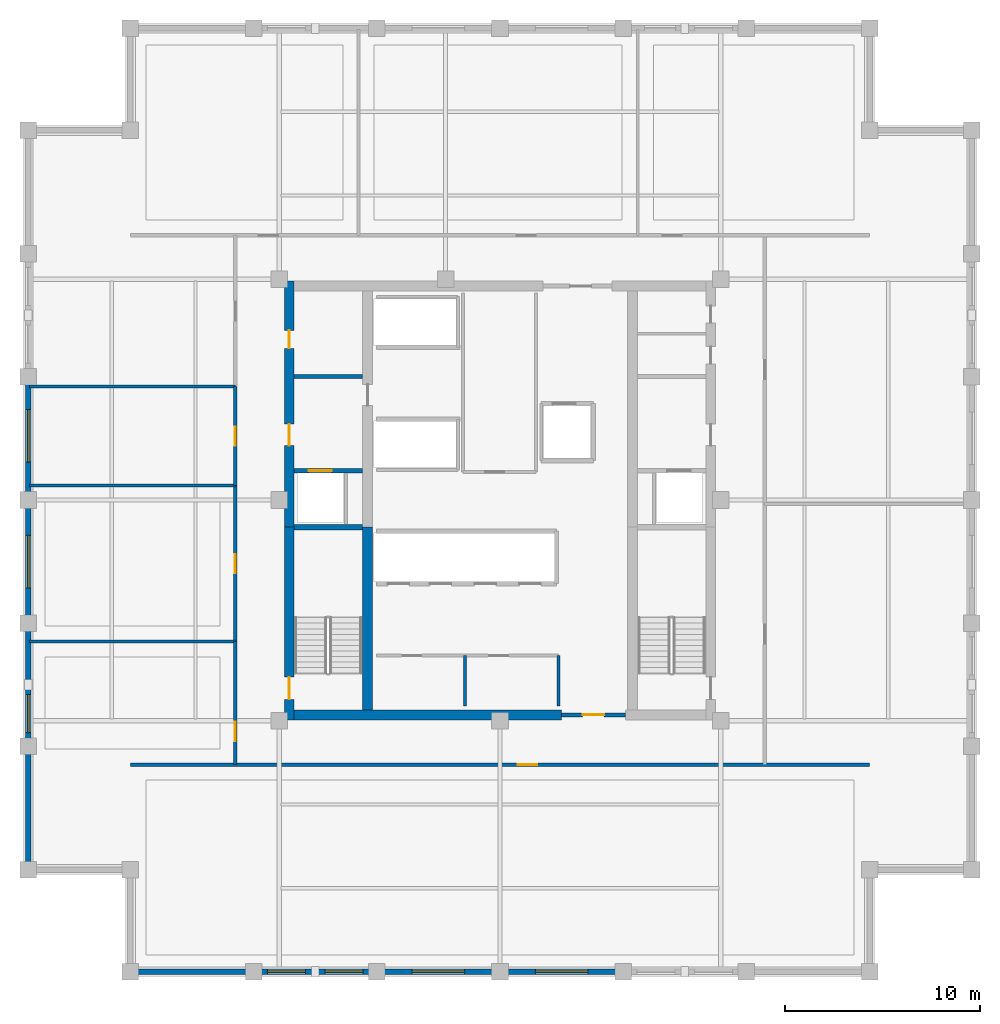
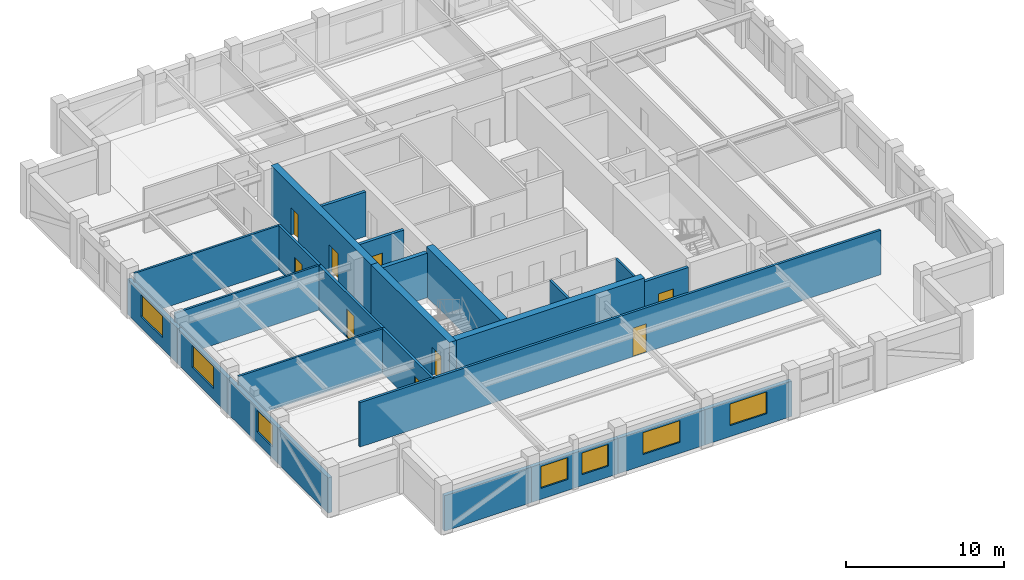
# One storey, part 2 of 9: 25 walls, 9 doors, 7 windows, 16 openings.
"""IFC4 building model written with IfcOpenShell, lengths in metres."""

from ifc_helpers import new_model, si_unit, direction, frame, frame_2d, origin, place, context, subcontext, project, spatial, rectangle, extrude, material, layer, layer_set, type_object, element, fill, save


model = new_model("IFC4")

# Units and contexts
model_context = context("Model", 3, precision=1e-05, world=origin(), true_north=direction((0.0, 1.0)))
body_context = subcontext(model_context, "Body", "Model", "MODEL_VIEW")
ifc_project = project(units=[si_unit("LENGTHUNIT", "METRE"), si_unit("AREAUNIT", "SQUARE_METRE"), si_unit("VOLUMEUNIT", "CUBIC_METRE"), si_unit("PLANEANGLEUNIT", "RADIAN"), si_unit("MASSUNIT", "GRAM", prefix="KILO")], contexts=[model_context])

# Site, building, storey
site_placement = place(None, origin())
site = spatial("IfcSite", under=ifc_project, at=site_placement, CompositionType="ELEMENT")
building_placement = place(site_placement, origin())
building = spatial("IfcBuilding", under=site, at=building_placement, Name="Nhamokura Convention Tower", CompositionType="ELEMENT")
storey_placement = place(building_placement, frame((0.0, 0.0, 186.89990234375)))
storey = spatial("IfcBuildingStorey", under=building, at=storey_placement, Name="L45", CompositionType="ELEMENT", Elevation=186.89990234375)

# Wall
ifc_material_1 = material(Name="Bronze-pigmented precast concrete C45/55", Category="concrete")
ifc_layer_1 = layer(ifc_material_1, 0.280029296875)
ifc_layer_set_1 = layer_set([ifc_layer_1], Name="BronzePrecastSpandrel_280")
wall_type_1 = type_object("IfcWallType", Name="BronzePrecastSpandrel_280", PredefinedType="USERDEFINED", material=ifc_layer_set_1)
wall_1_placement = place(storey_placement, frame((19.333251953125, 7.75, 0.0), z_axis=(0.0, 0.0, 1.0), x_axis=(-1.0, 0.0, 0.0)))
element("IfcWall", 1, at=wall_1_placement, inside=storey, type_object=wall_type_1, Name="L45 Braced-Bay Precast Wall SOUTH 0", ObjectType="SPANDREL_WALL", PredefinedType="USERDEFINED", context=body_context, shape_type="SweptSolid", body=[
    extrude(rectangle(XDim=6.333251953125, YDim=0.280029296875, at=frame_2d((3.16650390625, 0.0))), origin(), (0.0, 0.0, 1.0), 2.72998046875),
])

# Wall, openings, windows
wall_2_placement = place(storey_placement, frame((25.666748046875, 7.75, 0.0), z_axis=(0.0, 0.0, 1.0), x_axis=(-1.0, 0.0, 0.0)))
wall_2 = element("IfcWall", 2, at=wall_2_placement, inside=storey, type_object=wall_type_1, Name="L45 Masonry-Frame Wall SOUTH 1", ObjectType="SPANDREL_WALL", PredefinedType="USERDEFINED", context=body_context, shape_type="SweptSolid", body=[
    extrude(rectangle(XDim=6.33349609375, YDim=0.280029296875, at=frame_2d((3.166748046875, 0.0))), origin(), (0.0, 0.0, 1.0), 2.72998046875),
])
opening_1_placement = place(wall_2_placement, frame((0.708251953125, 0.0, 0.85009765625)))
opening_1 = element("IfcOpeningElement", 3, at=opening_1_placement, cuts=wall_2, Name="Opening W-08", PredefinedType="OPENING", context=body_context, shape_type="SweptSolid", body=[
    extrude(rectangle(XDim=1.949951171875, YDim=1.679931640625, at=frame_2d((0.97509765625, 0.83984375))), frame((0.0, 0.14990234375, 0.0), z_axis=(0.0, -1.0, 0.0), x_axis=(1.0, 0.0, 0.0)), (0.0, 0.0, 1.0), 0.300048828125),
])
opening_2_placement = place(wall_2_placement, frame((3.675048828125, 0.0, 0.85009765625)))
opening_2 = element("IfcOpeningElement", 4, at=opening_2_placement, cuts=wall_2, Name="Opening W-08", PredefinedType="OPENING", context=body_context, shape_type="SweptSolid", body=[
    extrude(rectangle(XDim=1.949951171875, YDim=1.679931640625, at=frame_2d((0.97509765625, 0.83984375))), frame((0.0, 0.14990234375, 0.0), z_axis=(0.0, -1.0, 0.0), x_axis=(1.0, 0.0, 0.0)), (0.0, 0.0, 1.0), 0.300048828125),
])
ifc_material_2 = material(Name="Solar-control bronze low-E double glass", Category="glass")
window_type_1 = type_object("IfcWindowType", Name="OfficeModuleWindow_Z3_1950", PartitioningType="SINGLE_PANEL", PredefinedType="WINDOW", material=ifc_material_2)
window_1_placement = place(opening_1_placement, origin())
window_1 = element("IfcWindow", 5, at=window_1_placement, inside=storey, type_object=window_type_1, Name="L45 Facade Window SOUTH 1-1", OverallHeight=1.679931640625, OverallWidth=1.949951171875, PartitioningType="SINGLE_PANEL", PredefinedType="WINDOW", context=body_context, shape_type="SweptSolid", body=[
    extrude(rectangle(XDim=1.949951171875, YDim=1.679931640625, at=frame_2d((0.97509765625, 0.83984375))), frame((0.0, 0.030029296875, 0.0), z_axis=(0.0, -1.0, 0.0), x_axis=(1.0, 0.0, 0.0)), (0.0, 0.0, 1.0), 0.06005859375),
])
fill(opening_1, window_1)
window_2_placement = place(opening_2_placement, origin())
window_2 = element("IfcWindow", 6, at=window_2_placement, inside=storey, type_object=window_type_1, Name="L45 Facade Window SOUTH 1-2", OverallHeight=1.679931640625, OverallWidth=1.949951171875, PartitioningType="SINGLE_PANEL", PredefinedType="WINDOW", context=body_context, shape_type="SweptSolid", body=[
    extrude(rectangle(XDim=1.949951171875, YDim=1.679931640625, at=frame_2d((0.97509765625, 0.83984375))), frame((0.0, 0.030029296875, 0.0), z_axis=(0.0, -1.0, 0.0), x_axis=(1.0, 0.0, 0.0)), (0.0, 0.0, 1.0), 0.06005859375),
])
fill(opening_2, window_2)

# Wall, opening, window
wall_3_placement = place(storey_placement, frame((32.0, 7.75, 0.0), z_axis=(0.0, 0.0, 1.0), x_axis=(-1.0, 0.0, 0.0)))
wall_3 = element("IfcWall", 7, at=wall_3_placement, inside=storey, type_object=wall_type_1, Name="L45 Masonry-Frame Wall SOUTH 2", ObjectType="SPANDREL_WALL", PredefinedType="USERDEFINED", context=body_context, shape_type="SweptSolid", body=[
    extrude(rectangle(XDim=6.333251953125, YDim=0.280029296875, at=frame_2d((3.16650390625, 0.0))), origin(), (0.0, 0.0, 1.0), 2.72998046875),
])
opening_3_placement = place(wall_3_placement, frame((1.816650390625, 0.0, 0.85009765625)))
opening_3 = element("IfcOpeningElement", 8, at=opening_3_placement, cuts=wall_3, Name="Opening W-07", PredefinedType="OPENING", context=body_context, shape_type="SweptSolid", body=[
    extrude(rectangle(XDim=2.699951171875, YDim=1.679931640625, at=frame_2d((1.35009765625, 0.83984375))), frame((0.0, 0.14990234375, 0.0), z_axis=(0.0, -1.0, 0.0), x_axis=(1.0, 0.0, 0.0)), (0.0, 0.0, 1.0), 0.300048828125),
])
ifc_material_3 = material(Name="Solar-control bronze low-E double glass", Category="glass")
window_type_2 = type_object("IfcWindowType", Name="OfficeModuleWindow_Z3_2700", PartitioningType="DOUBLE_PANEL_VERTICAL", PredefinedType="WINDOW", material=ifc_material_3)
window_3_placement = place(opening_3_placement, origin())
window_3 = element("IfcWindow", 9, at=window_3_placement, inside=storey, type_object=window_type_2, Name="L45 Facade Window SOUTH 2", OverallHeight=1.679931640625, OverallWidth=2.699951171875, PartitioningType="SINGLE_PANEL", PredefinedType="WINDOW", context=body_context, shape_type="SweptSolid", body=[
    extrude(rectangle(XDim=2.699951171875, YDim=1.679931640625, at=frame_2d((1.35009765625, 0.83984375))), frame((0.0, 0.030029296875, 0.0), z_axis=(0.0, -1.0, 0.0), x_axis=(1.0, 0.0, 0.0)), (0.0, 0.0, 1.0), 0.06005859375),
])
fill(opening_3, window_3)

wall_4_placement = place(storey_placement, frame((38.333251953125, 7.75, 0.0), z_axis=(0.0, 0.0, 1.0), x_axis=(-1.0, 0.0, 0.0)))
wall_4 = element("IfcWall", 10, at=wall_4_placement, inside=storey, type_object=wall_type_1, Name="L45 Masonry-Frame Wall SOUTH 3", ObjectType="SPANDREL_WALL", PredefinedType="USERDEFINED", context=body_context, shape_type="SweptSolid", body=[
    extrude(rectangle(XDim=6.333251953125, YDim=0.280029296875, at=frame_2d((3.16650390625, 0.0))), origin(), (0.0, 0.0, 1.0), 2.72998046875),
])
opening_4_placement = place(wall_4_placement, frame((1.816650390625, 0.0, 0.85009765625)))
opening_4 = element("IfcOpeningElement", 11, at=opening_4_placement, cuts=wall_4, Name="Opening W-07", PredefinedType="OPENING", context=body_context, shape_type="SweptSolid", body=[
    extrude(rectangle(XDim=2.699951171875, YDim=1.679931640625, at=frame_2d((1.35009765625, 0.83984375))), frame((0.0, 0.14990234375, 0.0), z_axis=(0.0, -1.0, 0.0), x_axis=(1.0, 0.0, 0.0)), (0.0, 0.0, 1.0), 0.300048828125),
])
window_4_placement = place(opening_4_placement, origin())
window_4 = element("IfcWindow", 12, at=window_4_placement, inside=storey, type_object=window_type_2, Name="L45 Facade Window SOUTH 3", OverallHeight=1.679931640625, OverallWidth=2.699951171875, PartitioningType="SINGLE_PANEL", PredefinedType="WINDOW", context=body_context, shape_type="SweptSolid", body=[
    extrude(rectangle(XDim=2.699951171875, YDim=1.679931640625, at=frame_2d((1.35009765625, 0.83984375))), frame((0.0, 0.030029296875, 0.0), z_axis=(0.0, -1.0, 0.0), x_axis=(1.0, 0.0, 0.0)), (0.0, 0.0, 1.0), 0.06005859375),
])
fill(opening_4, window_4)

# Wall
wall_5_placement = place(storey_placement, frame((7.75, 13.0, 0.0), z_axis=(0.0, 0.0, 1.0), x_axis=(0.0, 1.0, 0.0)))
element("IfcWall", 13, at=wall_5_placement, inside=storey, type_object=wall_type_1, Name="L45 Braced-Bay Precast Wall WEST 0", ObjectType="SPANDREL_WALL", PredefinedType="USERDEFINED", context=body_context, shape_type="SweptSolid", body=[
    extrude(rectangle(XDim=6.333251953125, YDim=0.280029296875, at=frame_2d((3.16650390625, 0.0))), origin(), (0.0, 0.0, 1.0), 2.72998046875),
])

# Wall, opening, window
wall_6_placement = place(storey_placement, frame((7.75, 19.333251953125, 0.0), z_axis=(0.0, 0.0, 1.0), x_axis=(0.0, 1.0, 0.0)))
wall_6 = element("IfcWall", 14, at=wall_6_placement, inside=storey, type_object=wall_type_1, Name="L45 Masonry-Frame Wall WEST 1", ObjectType="SPANDREL_WALL", PredefinedType="USERDEFINED", context=body_context, shape_type="SweptSolid", body=[
    extrude(rectangle(XDim=6.33349609375, YDim=0.280029296875, at=frame_2d((3.166748046875, 0.0))), origin(), (0.0, 0.0, 1.0), 2.72998046875),
])
opening_5_placement = place(wall_6_placement, frame((0.708251953125, 0.0, 0.85009765625)))
opening_5 = element("IfcOpeningElement", 15, at=opening_5_placement, cuts=wall_6, Name="Opening W-08", PredefinedType="OPENING", context=body_context, shape_type="SweptSolid", body=[
    extrude(rectangle(XDim=1.949951171875, YDim=1.679931640625, at=frame_2d((0.97509765625, 0.83984375))), frame((0.0, 0.14990234375, 0.0), z_axis=(0.0, -1.0, 0.0), x_axis=(1.0, 0.0, 0.0)), (0.0, 0.0, 1.0), 0.300048828125),
])
window_5_placement = place(opening_5_placement, origin())
window_5 = element("IfcWindow", 16, at=window_5_placement, inside=storey, type_object=window_type_1, Name="L45 Facade Window WEST 1-1", OverallHeight=1.679931640625, OverallWidth=1.949951171875, PartitioningType="SINGLE_PANEL", PredefinedType="WINDOW", context=body_context, shape_type="SweptSolid", body=[
    extrude(rectangle(XDim=1.949951171875, YDim=1.679931640625, at=frame_2d((0.97509765625, 0.83984375))), frame((0.0, 0.030029296875, 0.0), z_axis=(0.0, -1.0, 0.0), x_axis=(1.0, 0.0, 0.0)), (0.0, 0.0, 1.0), 0.06005859375),
])
fill(opening_5, window_5)

wall_7_placement = place(storey_placement, frame((7.75, 25.666748046875, 0.0), z_axis=(0.0, 0.0, 1.0), x_axis=(0.0, 1.0, 0.0)))
wall_7 = element("IfcWall", 17, at=wall_7_placement, inside=storey, type_object=wall_type_1, Name="L45 Masonry-Frame Wall WEST 2", ObjectType="SPANDREL_WALL", PredefinedType="USERDEFINED", context=body_context, shape_type="SweptSolid", body=[
    extrude(rectangle(XDim=6.333251953125, YDim=0.280029296875, at=frame_2d((3.16650390625, 0.0))), origin(), (0.0, 0.0, 1.0), 2.72998046875),
])
opening_6_placement = place(wall_7_placement, frame((1.816650390625, 0.0, 0.85009765625)))
opening_6 = element("IfcOpeningElement", 18, at=opening_6_placement, cuts=wall_7, Name="Opening W-07", PredefinedType="OPENING", context=body_context, shape_type="SweptSolid", body=[
    extrude(rectangle(XDim=2.699951171875, YDim=1.679931640625, at=frame_2d((1.35009765625, 0.83984375))), frame((0.0, 0.14990234375, 0.0), z_axis=(0.0, -1.0, 0.0), x_axis=(1.0, 0.0, 0.0)), (0.0, 0.0, 1.0), 0.300048828125),
])
window_6_placement = place(opening_6_placement, origin())
window_6 = element("IfcWindow", 19, at=window_6_placement, inside=storey, type_object=window_type_2, Name="L45 Facade Window WEST 2", OverallHeight=1.679931640625, OverallWidth=2.699951171875, PartitioningType="SINGLE_PANEL", PredefinedType="WINDOW", context=body_context, shape_type="SweptSolid", body=[
    extrude(rectangle(XDim=2.699951171875, YDim=1.679931640625, at=frame_2d((1.35009765625, 0.83984375))), frame((0.0, 0.030029296875, 0.0), z_axis=(0.0, -1.0, 0.0), x_axis=(1.0, 0.0, 0.0)), (0.0, 0.0, 1.0), 0.06005859375),
])
fill(opening_6, window_6)

wall_8_placement = place(storey_placement, frame((7.75, 32.0, 0.0), z_axis=(0.0, 0.0, 1.0), x_axis=(0.0, 1.0, 0.0)))
wall_8 = element("IfcWall", 20, at=wall_8_placement, inside=storey, type_object=wall_type_1, Name="L45 Masonry-Frame Wall WEST 3", ObjectType="SPANDREL_WALL", PredefinedType="USERDEFINED", context=body_context, shape_type="SweptSolid", body=[
    extrude(rectangle(XDim=6.333251953125, YDim=0.280029296875, at=frame_2d((3.16650390625, 0.0))), origin(), (0.0, 0.0, 1.0), 2.72998046875),
])
opening_7_placement = place(wall_8_placement, frame((1.941650390625, 0.0, 0.85009765625)))
opening_7 = element("IfcOpeningElement", 21, at=opening_7_placement, cuts=wall_8, Name="Opening W-07", PredefinedType="OPENING", context=body_context, shape_type="SweptSolid", body=[
    extrude(rectangle(XDim=2.699951171875, YDim=1.679931640625, at=frame_2d((1.35009765625, 0.83984375))), frame((0.0, 0.14990234375, 0.0), z_axis=(0.0, -1.0, 0.0), x_axis=(1.0, 0.0, 0.0)), (0.0, 0.0, 1.0), 0.300048828125),
])
window_7_placement = place(opening_7_placement, origin())
window_7 = element("IfcWindow", 22, at=window_7_placement, inside=storey, type_object=window_type_2, Name="L45 Facade Window WEST 3", OverallHeight=1.679931640625, OverallWidth=2.699951171875, PartitioningType="SINGLE_PANEL", PredefinedType="WINDOW", context=body_context, shape_type="SweptSolid", body=[
    extrude(rectangle(XDim=2.699951171875, YDim=1.679931640625, at=frame_2d((1.35009765625, 0.83984375))), frame((0.0, 0.030029296875, 0.0), z_axis=(0.0, -1.0, 0.0), x_axis=(1.0, 0.0, 0.0)), (0.0, 0.0, 1.0), 0.06005859375),
])
fill(opening_7, window_7)

# Wall, opening, door
ifc_material_4 = material(Name="Concrete C60/75", Category="concrete")
ifc_layer_2 = layer(ifc_material_4, 0.5)
ifc_layer_set_2 = layer_set([ifc_layer_2], Name="CoreShearWall_500")
wall_type_2 = type_object("IfcWallType", Name="CoreShearWall_500", PredefinedType="SHEAR", material=ifc_layer_set_2)
wall_9_placement = place(storey_placement, frame((21.159912109375, 20.699951171875, 0.0), z_axis=(0.0, 0.0, 1.0), x_axis=(0.0, 1.0, 0.0)))
wall_9 = element("IfcWall", 23, at=wall_9_placement, inside=storey, type_object=wall_type_2, Name="L45 Core Shear Wall CW-WS", PredefinedType="SHEAR", context=body_context, shape_type="SweptSolid", body=[
    extrude(rectangle(XDim=9.900146484375, YDim=0.5, at=frame_2d((4.9501953125, 0.0))), origin(), (0.0, 0.0, 1.0), 3.85009765625),
])
opening_8_placement = place(wall_9_placement, frame((1.050048828125, 0.0, 0.0)))
opening_8 = element("IfcOpeningElement", 24, at=opening_8_placement, cuts=wall_9, Name="Opening D-04", PredefinedType="OPENING", context=body_context, shape_type="SweptSolid", body=[
    extrude(rectangle(XDim=1.14990234375, YDim=2.14990234375, at=frame_2d((0.574951171875, 1.074951171875))), frame((0.0, 0.260009765625, 0.0), z_axis=(0.0, -1.0, 0.0), x_axis=(1.0, 0.0, 0.0)), (0.0, 0.0, 1.0), 0.52001953125),
])
ifc_material_5 = material(Name="Fire-rated steel door", Category="steel")
door_type_1 = type_object("IfcDoorType", Name="StairSmokeDoor_1150", OperationType="NOTDEFINED", PredefinedType="DOOR", material=ifc_material_5)
door_1_placement = place(opening_8_placement, origin())
door_1 = element("IfcDoor", 25, at=door_1_placement, inside=storey, type_object=door_type_1, Name="L45 Core Door INT-L45-D-ST01", OperationType="SINGLE_SWING_LEFT", OverallHeight=2.14990234375, OverallWidth=1.14990234375, PredefinedType="DOOR", context=body_context, shape_type="SweptSolid", body=[
    extrude(rectangle(XDim=1.14990234375, YDim=2.14990234375, at=frame_2d((0.574951171875, 1.074951171875))), frame((0.0, 0.02490234375, 0.0), z_axis=(0.0, -1.0, 0.0), x_axis=(1.0, 0.0, 0.0)), (0.0, 0.0, 1.0), 0.050048828125),
])
fill(opening_8, door_1)

# Wall, openings, doors
wall_10_placement = place(storey_placement, frame((21.159912109375, 30.60009765625, 0.0), z_axis=(0.0, 0.0, 1.0), x_axis=(0.0, 1.0, 0.0)))
wall_10 = element("IfcWall", 26, at=wall_10_placement, inside=storey, type_object=wall_type_2, Name="L45 Core Shear Wall CW-WN", PredefinedType="SHEAR", context=body_context, shape_type="SweptSolid", body=[
    extrude(rectangle(XDim=12.64990234375, YDim=0.5, at=frame_2d((6.324951171875, 0.0))), origin(), (0.0, 0.0, 1.0), 3.85009765625),
])
opening_9_placement = place(wall_10_placement, frame((4.199951171875, 0.0, 0.0)))
opening_9 = element("IfcOpeningElement", 27, at=opening_9_placement, cuts=wall_10, Name="Opening D-05", PredefinedType="OPENING", context=body_context, shape_type="SweptSolid", body=[
    extrude(rectangle(XDim=1.10009765625, YDim=2.14990234375, at=frame_2d((0.550048828125, 1.074951171875))), frame((0.0, 0.260009765625, 0.0), z_axis=(0.0, -1.0, 0.0), x_axis=(1.0, 0.0, 0.0)), (0.0, 0.0, 1.0), 0.52001953125),
])
opening_10_placement = place(wall_10_placement, frame((9.199951171875, 0.0, 0.0)))
opening_10 = element("IfcOpeningElement", 28, at=opening_10_placement, cuts=wall_10, Name="Opening D-10", PredefinedType="OPENING", context=body_context, shape_type="SweptSolid", body=[
    extrude(rectangle(XDim=0.919921875, YDim=2.10009765625, at=frame_2d((0.4599609375, 1.050048828125))), frame((0.0, 0.260009765625, 0.0), z_axis=(0.0, -1.0, 0.0), x_axis=(1.0, 0.0, 0.0)), (0.0, 0.0, 1.0), 0.52001953125),
])
ifc_material_6 = material(Name="Solid oak hardwood", Category="wood")
door_type_2 = type_object("IfcDoorType", Name="AccessibleWCDoor_920", OperationType="NOTDEFINED", PredefinedType="DOOR", material=ifc_material_6)
door_2_placement = place(opening_10_placement, origin())
door_2 = element("IfcDoor", 29, at=door_2_placement, inside=storey, type_object=door_type_2, Name="L45 Core Door INT-L45-D-AWC", OperationType="SINGLE_SWING_LEFT", OverallHeight=2.10009765625, OverallWidth=0.919921875, PredefinedType="DOOR", context=body_context, shape_type="SweptSolid", body=[
    extrude(rectangle(XDim=0.919921875, YDim=2.10009765625, at=frame_2d((0.4599609375, 1.050048828125))), frame((0.0, 0.02490234375, 0.0), z_axis=(0.0, -1.0, 0.0), x_axis=(1.0, 0.0, 0.0)), (0.0, 0.0, 1.0), 0.050048828125),
])
fill(opening_10, door_2)
ifc_material_7 = material(Name="Fire-rated steel door", Category="steel")
door_type_3 = type_object("IfcDoorType", Name="FireLobbyDoor_1100", OperationType="NOTDEFINED", PredefinedType="DOOR", material=ifc_material_7)
door_3_placement = place(opening_9_placement, origin())
door_3 = element("IfcDoor", 30, at=door_3_placement, inside=storey, type_object=door_type_3, Name="L45 Core Door INT-L45-D-FFLW", OperationType="SINGLE_SWING_RIGHT", OverallHeight=2.14990234375, OverallWidth=1.10009765625, PredefinedType="DOOR", context=body_context, shape_type="SweptSolid", body=[
    extrude(rectangle(XDim=1.10009765625, YDim=2.14990234375, at=frame_2d((0.550048828125, 1.074951171875))), frame((0.0, 0.02490234375, 0.0), z_axis=(0.0, -1.0, 0.0), x_axis=(1.0, 0.0, 0.0)), (0.0, 0.0, 1.0), 0.050048828125),
])
fill(opening_9, door_3)

# Walls
wall_11_placement = place(storey_placement, frame((21.409912109375, 20.949951171875, 0.0), z_axis=(0.0, 0.0, 1.0), x_axis=(1.0, 0.0, 0.0)))
element("IfcWall", 31, at=wall_11_placement, inside=storey, type_object=wall_type_2, Name="L45 Core Shear Wall CW-S1", PredefinedType="SHEAR", context=body_context, shape_type="SweptSolid", body=[
    extrude(rectangle(XDim=13.739990234375, YDim=0.5, at=frame_2d((6.8701171875, 0.0))), origin(), (0.0, 0.0, 1.0), 3.85009765625),
])
wall_12_placement = place(storey_placement, frame((25.18994140625, 21.199951171875, 0.0), z_axis=(0.0, 0.0, 1.0), x_axis=(0.0, 1.0, 0.0)))
element("IfcWall", 32, at=wall_12_placement, inside=storey, type_object=wall_type_2, Name="L45 Core Shear Wall CW-IWS", PredefinedType="SHEAR", context=body_context, shape_type="SweptSolid", body=[
    extrude(rectangle(XDim=9.400146484375, YDim=0.5, at=frame_2d((4.7001953125, 0.0))), origin(), (0.0, 0.0, 1.0), 3.85009765625),
])

# Wall, opening, door
ifc_material_8 = material(Name="Fire-rated gypsum and masonry partition", Category="masonry")
ifc_layer_3 = layer(ifc_material_8, 0.179931640625)
ifc_layer_set_3 = layer_set([ifc_layer_3], Name="CorridorRatedWall_180")
wall_type_3 = type_object("IfcWallType", Name="CorridorRatedWall_180", PredefinedType="STANDARD", material=ifc_layer_set_3)
wall_13_placement = place(storey_placement, frame((13.0, 18.39990234375, 0.0), z_axis=(0.0, 0.0, 1.0), x_axis=(1.0, 0.0, 0.0)))
wall_13 = element("IfcWall", 33, at=wall_13_placement, inside=storey, type_object=wall_type_3, Name="L45 Wall INT-L45-CW-S00", PredefinedType="STANDARD", context=body_context, shape_type="SweptSolid", body=[
    extrude(rectangle(XDim=38.0, YDim=0.179931640625, at=frame_2d((19.0, 0.0))), origin(), (0.0, 0.0, 1.0), 3.43017578125),
])
opening_11_placement = place(wall_13_placement, frame((19.925048828125, 0.0, 0.0)))
opening_11 = element("IfcOpeningElement", 34, at=opening_11_placement, cuts=wall_13, Name="Opening D-08", PredefinedType="OPENING", context=body_context, shape_type="SweptSolid", body=[
    extrude(rectangle(XDim=0.97998046875, YDim=2.199951171875, at=frame_2d((0.489990234375, 1.10009765625))), frame((0.0, 0.099853515625, 0.0), z_axis=(0.0, -1.0, 0.0), x_axis=(1.0, 0.0, 0.0)), (0.0, 0.0, 1.0), 0.199951171875),
])
ifc_material_9 = material(Name="Solid oak hardwood", Category="wood")
door_type_4 = type_object("IfcDoorType", Name="OfficeEntryDoor_980", OperationType="NOTDEFINED", PredefinedType="DOOR", material=ifc_material_9)
door_4_placement = place(opening_11_placement, origin())
door_4 = element("IfcDoor", 35, at=door_4_placement, inside=storey, type_object=door_type_4, Name="L45 Open Plan Office S01 Door", OperationType="SINGLE_SWING_LEFT", OverallHeight=2.199951171875, OverallWidth=0.97998046875, PredefinedType="DOOR", context=body_context, shape_type="SweptSolid", body=[
    extrude(rectangle(XDim=0.97998046875, YDim=2.199951171875, at=frame_2d((0.489990234375, 1.10009765625))), frame((0.0, 0.02490234375, 0.0), z_axis=(0.0, -1.0, 0.0), x_axis=(1.0, 0.0, 0.0)), (0.0, 0.0, 1.0), 0.050048828125),
])
fill(opening_11, door_4)

wall_14_placement = place(storey_placement, frame((18.39990234375, 18.39990234375, 0.0), z_axis=(0.0, 0.0, 1.0), x_axis=(0.0, 1.0, 0.0)))
wall_14 = element("IfcWall", 36, at=wall_14_placement, inside=storey, type_object=wall_type_3, Name="L45 Wall INT-L45-CW-W00", PredefinedType="STANDARD", context=body_context, shape_type="SweptSolid", body=[
    extrude(rectangle(XDim=6.31689453125, YDim=0.179931640625, at=frame_2d((3.158447265625, 0.0))), origin(), (0.0, 0.0, 1.0), 3.43017578125),
])
opening_12_placement = place(wall_14_placement, frame((1.208251953125, 0.0, 0.0)))
opening_12 = element("IfcOpeningElement", 37, at=opening_12_placement, cuts=wall_14, Name="Opening D-08", PredefinedType="OPENING", context=body_context, shape_type="SweptSolid", body=[
    extrude(rectangle(XDim=0.97998046875, YDim=2.199951171875, at=frame_2d((0.489990234375, 1.10009765625))), frame((0.0, 0.099853515625, 0.0), z_axis=(0.0, -1.0, 0.0), x_axis=(1.0, 0.0, 0.0)), (0.0, 0.0, 1.0), 0.199951171875),
])
door_5_placement = place(opening_12_placement, origin())
door_5 = element("IfcDoor", 38, at=door_5_placement, inside=storey, type_object=door_type_4, Name="L45 Private Office W01 Door", OperationType="SINGLE_SWING_LEFT", OverallHeight=2.199951171875, OverallWidth=0.97998046875, PredefinedType="DOOR", context=body_context, shape_type="SweptSolid", body=[
    extrude(rectangle(XDim=0.97998046875, YDim=2.199951171875, at=frame_2d((0.489990234375, 1.10009765625))), frame((0.0, 0.02490234375, 0.0), z_axis=(0.0, -1.0, 0.0), x_axis=(1.0, 0.0, 0.0)), (0.0, 0.0, 1.0), 0.050048828125),
])
fill(opening_12, door_5)

wall_15_placement = place(storey_placement, frame((18.39990234375, 24.716796875, 0.0), z_axis=(0.0, 0.0, 1.0), x_axis=(0.0, 1.0, 0.0)))
wall_15 = element("IfcWall", 39, at=wall_15_placement, inside=storey, type_object=wall_type_3, Name="L45 Wall INT-L45-CW-W01", PredefinedType="STANDARD", context=body_context, shape_type="SweptSolid", body=[
    extrude(rectangle(XDim=8.033203125, YDim=0.179931640625, at=frame_2d((4.0166015625, 0.0))), origin(), (0.0, 0.0, 1.0), 3.43017578125),
])
opening_13_placement = place(wall_15_placement, frame((3.5166015625, 0.0, 0.0)))
opening_13 = element("IfcOpeningElement", 40, at=opening_13_placement, cuts=wall_15, Name="Opening D-08", PredefinedType="OPENING", context=body_context, shape_type="SweptSolid", body=[
    extrude(rectangle(XDim=0.97998046875, YDim=2.199951171875, at=frame_2d((0.489990234375, 1.10009765625))), frame((0.0, 0.099853515625, 0.0), z_axis=(0.0, -1.0, 0.0), x_axis=(1.0, 0.0, 0.0)), (0.0, 0.0, 1.0), 0.199951171875),
])
door_6_placement = place(opening_13_placement, origin())
door_6 = element("IfcDoor", 41, at=door_6_placement, inside=storey, type_object=door_type_4, Name="L45 Meeting Room W02 Door", OperationType="SINGLE_SWING_RIGHT", OverallHeight=2.199951171875, OverallWidth=0.97998046875, PredefinedType="DOOR", context=body_context, shape_type="SweptSolid", body=[
    extrude(rectangle(XDim=0.97998046875, YDim=2.199951171875, at=frame_2d((0.489990234375, 1.10009765625))), frame((0.0, 0.02490234375, 0.0), z_axis=(0.0, -1.0, 0.0), x_axis=(1.0, 0.0, 0.0)), (0.0, 0.0, 1.0), 0.050048828125),
])
fill(opening_13, door_6)

wall_16_placement = place(storey_placement, frame((18.39990234375, 32.75, 0.0), z_axis=(0.0, 0.0, 1.0), x_axis=(0.0, 1.0, 0.0)))
wall_16 = element("IfcWall", 42, at=wall_16_placement, inside=storey, type_object=wall_type_3, Name="L45 Wall INT-L45-CW-W02", PredefinedType="STANDARD", context=body_context, shape_type="SweptSolid", body=[
    extrude(rectangle(XDim=5.083251953125, YDim=0.179931640625, at=frame_2d((2.54150390625, 0.0))), origin(), (0.0, 0.0, 1.0), 3.43017578125),
])
opening_14_placement = place(wall_16_placement, frame((2.041748046875, 0.0, 0.0)))
opening_14 = element("IfcOpeningElement", 43, at=opening_14_placement, cuts=wall_16, Name="Opening D-08", PredefinedType="OPENING", context=body_context, shape_type="SweptSolid", body=[
    extrude(rectangle(XDim=0.97998046875, YDim=2.199951171875, at=frame_2d((0.489990234375, 1.10009765625))), frame((0.0, 0.099853515625, 0.0), z_axis=(0.0, -1.0, 0.0), x_axis=(1.0, 0.0, 0.0)), (0.0, 0.0, 1.0), 0.199951171875),
])
door_7_placement = place(opening_14_placement, origin())
door_7 = element("IfcDoor", 44, at=door_7_placement, inside=storey, type_object=door_type_4, Name="L45 Private Office W03 Door", OperationType="SINGLE_SWING_LEFT", OverallHeight=2.199951171875, OverallWidth=0.97998046875, PredefinedType="DOOR", context=body_context, shape_type="SweptSolid", body=[
    extrude(rectangle(XDim=0.97998046875, YDim=2.199951171875, at=frame_2d((0.489990234375, 1.10009765625))), frame((0.0, 0.02490234375, 0.0), z_axis=(0.0, -1.0, 0.0), x_axis=(1.0, 0.0, 0.0)), (0.0, 0.0, 1.0), 0.050048828125),
])
fill(opening_14, door_7)

ifc_material_10 = material(Name="Autoclaved concrete blockwork", Category="masonry")
ifc_layer_4 = layer(ifc_material_10, 0.219970703125)
ifc_layer_set_4 = layer_set([ifc_layer_4], Name="FireLobbyWall_220")
wall_type_4 = type_object("IfcWallType", Name="FireLobbyWall_220", PredefinedType="STANDARD", material=ifc_layer_set_4)
wall_17_placement = place(storey_placement, frame((21.409912109375, 33.5, 0.0), z_axis=(0.0, 0.0, 1.0), x_axis=(1.0, 0.0, 0.0)))
wall_17 = element("IfcWall", 45, at=wall_17_placement, inside=storey, type_object=wall_type_4, Name="L45 Wall INT-L45-FFW-S", PredefinedType="STANDARD", context=body_context, shape_type="SweptSolid", body=[
    extrude(rectangle(XDim=3.530029296875, YDim=0.219970703125, at=frame_2d((1.76513671875, 0.0))), origin(), (0.0, 0.0, 1.0), 3.43017578125),
])
opening_15_placement = place(wall_17_placement, frame((0.75, 0.0, 0.0)))
opening_15 = element("IfcOpeningElement", 46, at=opening_15_placement, cuts=wall_17, Name="Opening LD-02", PredefinedType="OPENING", context=body_context, shape_type="SweptSolid", body=[
    extrude(rectangle(XDim=1.199951171875, YDim=2.199951171875, at=frame_2d((0.60009765625, 1.10009765625))), frame((0.0, 0.119873046875, 0.0), z_axis=(0.0, -1.0, 0.0), x_axis=(1.0, 0.0, 0.0)), (0.0, 0.0, 1.0), 0.239990234375),
])
ifc_material_11 = material(Name="Anodised bronze stainless steel", Category="steel")
door_type_5 = type_object("IfcDoorType", Name="LiftLandingDoor_FireService", OperationType="DOUBLE_DOOR_SLIDING", PredefinedType="DOOR", material=ifc_material_11)
door_8_placement = place(opening_15_placement, origin())
door_8 = element("IfcDoor", 47, at=door_8_placement, inside=storey, type_object=door_type_5, Name="L45 Firefighting Lift LF-01 Door", OperationType="DOUBLE_DOOR_SLIDING", OverallHeight=2.199951171875, OverallWidth=1.199951171875, PredefinedType="DOOR", context=body_context, shape_type="SweptSolid", body=[
    extrude(rectangle(XDim=1.199951171875, YDim=2.199951171875, at=frame_2d((0.60009765625, 1.10009765625))), frame((0.0, 0.02490234375, 0.0), z_axis=(0.0, -1.0, 0.0), x_axis=(1.0, 0.0, 0.0)), (0.0, 0.0, 1.0), 0.050048828125),
])
fill(opening_15, door_8)

# Wall
wall_18_placement = place(storey_placement, frame((21.409912109375, 38.35009765625, 0.0), z_axis=(0.0, 0.0, 1.0), x_axis=(1.0, 0.0, 0.0)))
element("IfcWall", 48, at=wall_18_placement, inside=storey, type_object=wall_type_4, Name="L45 Wall INT-L45-FFW-N", PredefinedType="STANDARD", context=body_context, shape_type="SweptSolid", body=[
    extrude(rectangle(XDim=3.530029296875, YDim=0.219970703125, at=frame_2d((1.76513671875, 0.0))), origin(), (0.0, 0.0, 1.0), 3.43017578125),
])

# Wall, opening, door
wall_19_placement = place(storey_placement, frame((35.14990234375, 20.949951171875, 0.0), z_axis=(0.0, 0.0, 1.0), x_axis=(1.0, 0.0, 0.0)))
wall_19 = element("IfcWall", 49, at=wall_19_placement, inside=storey, type_object=wall_type_4, Name="L45 Wall INT-L45-SPORT-S", PredefinedType="STANDARD", context=body_context, shape_type="SweptSolid", body=[
    extrude(rectangle(XDim=3.300048828125, YDim=0.219970703125, at=frame_2d((1.64990234375, 0.0))), origin(), (0.0, 0.0, 1.0), 3.43017578125),
])
opening_16_placement = place(wall_19_placement, frame((1.10009765625, 0.0, 0.0)))
opening_16 = element("IfcOpeningElement", 50, at=opening_16_placement, cuts=wall_19, Name="Opening D-05", PredefinedType="OPENING", context=body_context, shape_type="SweptSolid", body=[
    extrude(rectangle(XDim=1.10009765625, YDim=2.14990234375, at=frame_2d((0.550048828125, 1.074951171875))), frame((0.0, 0.119873046875, 0.0), z_axis=(0.0, -1.0, 0.0), x_axis=(1.0, 0.0, 0.0)), (0.0, 0.0, 1.0), 0.239990234375),
])
door_9_placement = place(opening_16_placement, origin())
door_9 = element("IfcDoor", 51, at=door_9_placement, inside=storey, type_object=door_type_3, Name="L45 South Core Lobby Portal Door", OperationType="SINGLE_SWING_LEFT", OverallHeight=2.14990234375, OverallWidth=1.10009765625, PredefinedType="DOOR", context=body_context, shape_type="SweptSolid", body=[
    extrude(rectangle(XDim=1.10009765625, YDim=2.14990234375, at=frame_2d((0.550048828125, 1.074951171875))), frame((0.0, 0.02490234375, 0.0), z_axis=(0.0, -1.0, 0.0), x_axis=(1.0, 0.0, 0.0)), (0.0, 0.0, 1.0), 0.050048828125),
])
fill(opening_16, door_9)

# Walls
ifc_material_12 = material(Name="Acoustic gypsum stud partition", Category="masonry")
ifc_layer_5 = layer(ifc_material_12, 0.14990234375)
ifc_layer_set_5 = layer_set([ifc_layer_5], Name="InteriorPartition_150")
wall_type_5 = type_object("IfcWallType", Name="InteriorPartition_150", PredefinedType="STANDARD", material=ifc_layer_set_5)
for number, where, z_axis, x_axis, name in (
    (52, (30.199951171875, 21.39990234375, 0.0), (0.0, 0.0, 1.0), (0.0, 1.0, 0.0), "L45 Wall INT-L45-B1R-M"),
    (53, (35.0, 21.39990234375, 0.0), (0.0, 0.0, 1.0), (0.0, 1.0, 0.0), "L45 Wall INT-L45-B1R-E"),
):
    element("IfcWall", number, at=place(storey_placement, frame(where, z_axis=z_axis, x_axis=x_axis)), inside=storey, type_object=wall_type_5, Name=name, PredefinedType="STANDARD", context=body_context, shape_type="SweptSolid", body=[
        extrude(rectangle(XDim=2.60009765625, YDim=0.14990234375, at=frame_2d((1.300048828125, 0.0))), origin(), (0.0, 0.0, 1.0), 3.43017578125),
    ])
for number, where, z_axis, x_axis, name in (
    (54, (7.81005859375, 24.716796875, 0.0), (0.0, 0.0, 1.0), (1.0, 0.0, 0.0), "L45 Wall INT-L45-RW-W01"),
    (55, (7.81005859375, 32.75, 0.0), (0.0, 0.0, 1.0), (1.0, 0.0, 0.0), "L45 Wall INT-L45-RW-W02"),
    (56, (7.81005859375, 37.833251953125, 0.0), (0.0, 0.0, 1.0), (1.0, 0.0, 0.0), "L45 Wall INT-L45-RW-W03"),
):
    element("IfcWall", number, at=place(storey_placement, frame(where, z_axis=z_axis, x_axis=x_axis)), inside=storey, type_object=wall_type_5, Name=name, PredefinedType="STANDARD", context=body_context, shape_type="SweptSolid", body=[
        extrude(rectangle(XDim=10.58984375, YDim=0.14990234375, at=frame_2d((5.294921875, 0.0))), origin(), (0.0, 0.0, 1.0), 3.43017578125),
    ])
ifc_material_13 = material(Name="Concrete C50/60", Category="concrete")
ifc_layer_6 = layer(ifc_material_13, 0.300048828125)
ifc_layer_set_6 = layer_set([ifc_layer_6], Name="ShaftEnclosureWall_300")
wall_type_6 = type_object("IfcWallType", Name="ShaftEnclosureWall_300", PredefinedType="SHEAR", material=ifc_layer_set_6)
wall_20_placement = place(storey_placement, frame((21.409912109375, 30.60009765625, 0.0), z_axis=(0.0, 0.0, 1.0), x_axis=(1.0, 0.0, 0.0)))
element("IfcWall", 57, at=wall_20_placement, inside=storey, type_object=wall_type_6, Name="L45 Wall INT-L45-ST01-N", PredefinedType="SHEAR", context=body_context, shape_type="SweptSolid", body=[
    extrude(rectangle(XDim=3.530029296875, YDim=0.300048828125, at=frame_2d((1.76513671875, 0.0))), origin(), (0.0, 0.0, 1.0), 3.43017578125),
])

save(model, "model.ifc")
